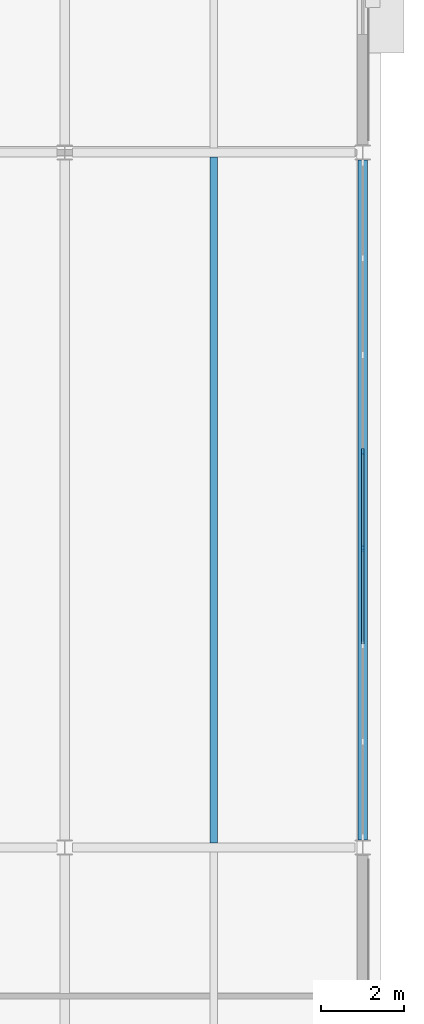
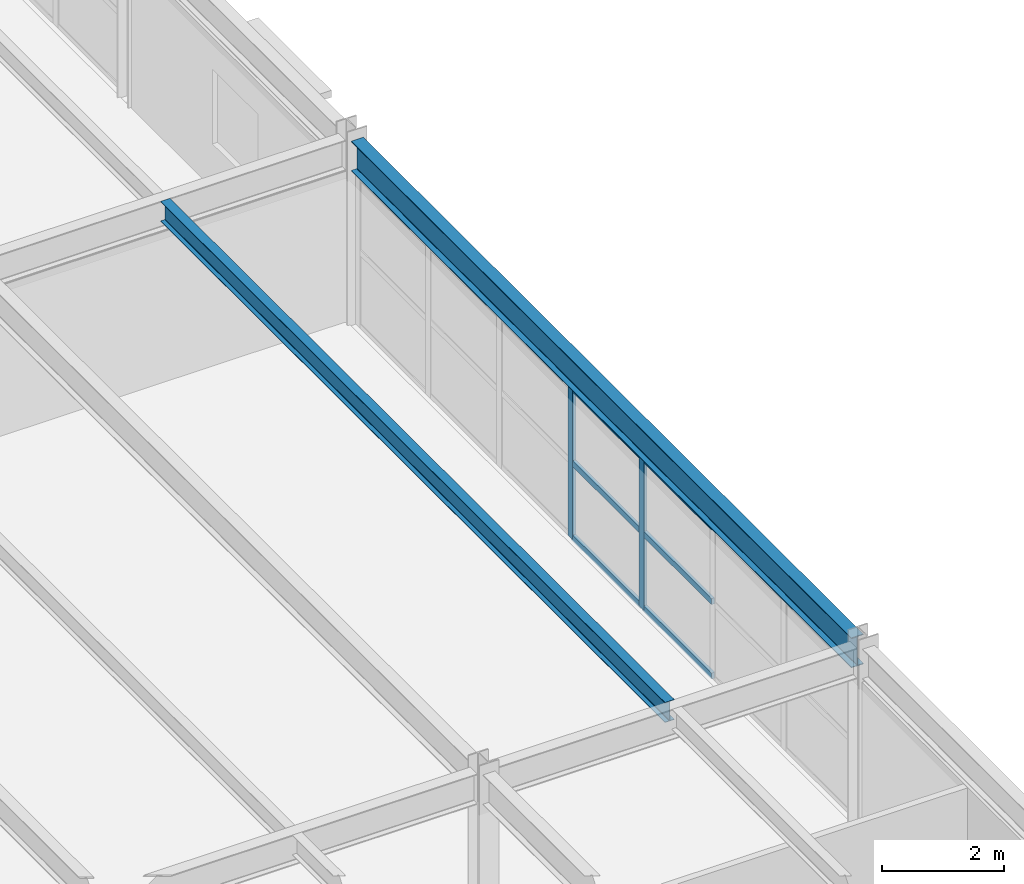
# One storey, part 40 of 93: 8 members, 2 beams, 1 element without a shape of its own.
"""IFC4 building model written with IfcOpenShell, lengths in metres."""

from ifc_helpers import new_model, si_unit, direction, frame, origin, origin_2d, place, context, subcontext, project, spatial, rectangle, i_section, extrude, material, material_profile, profile_set, type_object, element, aggregate, save


model = new_model("IFC4")

# Units and contexts
model_context = context("Model", 3, precision=1e-05, world=origin(), true_north=direction((0.0, 1.0)))
body_context = subcontext(model_context, "Body", "Model", "MODEL_VIEW")
ifc_project = project(units=[si_unit("LENGTHUNIT", "METRE"), si_unit("AREAUNIT", "SQUARE_METRE"), si_unit("VOLUMEUNIT", "CUBIC_METRE"), si_unit("PLANEANGLEUNIT", "RADIAN"), si_unit("MASSUNIT", "GRAM", prefix="KILO")], contexts=[model_context])

# Site, building, storey
site_placement = place(None, origin())
site = spatial("IfcSite", under=ifc_project, at=site_placement, CompositionType="ELEMENT")
building_placement = place(site_placement, origin())
building = spatial("IfcBuilding", under=site, at=building_placement, Name="Vaelcorin Mobility Hub", CompositionType="ELEMENT")
storey_placement = place(building_placement, frame((0.0, 0.0, 5.39990234375)))
storey = spatial("IfcBuildingStorey", under=building, at=storey_placement, Name="L01", CompositionType="ELEMENT", Elevation=5.39990234375)

# Beams
ifc_material_1 = material(Name="Steel ASTM A992 Grade 50", Category="steel")
ifc_material_profile_1 = material_profile(ifc_material_1, i_section(OverallWidth=0.177978515625, OverallDepth=0.404052734375, WebThickness=0.007568359375, FlangeThickness=0.010986328125, FilletRadius=0.012939453125, at=origin_2d()), Name="W16X36")
ifc_profile_set_1 = profile_set([ifc_material_profile_1], Name="Steel ASTM A992 Grade 50")
beam_type_1 = type_object("IfcBeamType", Name="BM-W16X36", PredefinedType="JOIST", material=ifc_profile_set_1)
beam_1_placement = place(storey_placement, frame((200.39990234375, 60.112060546875, 3.498046875), z_axis=(0.0, 1.0, 0.0), x_axis=(-1.0, 0.0, 0.0)))
element("IfcBeam", 1, at=beam_1_placement, inside=storey, type_object=beam_type_1, Name="L01 Beam V5E-L01-J-02-08-1", PredefinedType="JOIST", context=body_context, shape_type="SweptSolid", body=[
    extrude(i_section(OverallWidth=0.177978515625, OverallDepth=0.404052734375, WebThickness=0.007568359375, FlangeThickness=0.010986328125, FilletRadius=0.012939453125, at=origin_2d()), origin(), (0.0, 0.0, 1.0), 16.575927734375),
])
ifc_material_profile_2 = material_profile(ifc_material_1, i_section(OverallWidth=0.22802734375, OverallDepth=0.60205078125, WebThickness=0.010498046875, FlangeThickness=0.014892578125, FilletRadius=0.014892578125, at=origin_2d()), Name="W24X68")
ifc_profile_set_2 = profile_set([ifc_material_profile_2], Name="Steel ASTM A992 Grade 50")
beam_type_2 = type_object("IfcBeamType", Name="BM-W24X68", PredefinedType="SPANDREL", material=ifc_profile_set_2)
beam_2_placement = place(storey_placement, frame((204.0, 60.18408203125, 3.399169921875), z_axis=(0.0, 1.0, 0.0), x_axis=(-1.0, 0.0, 0.0)))
element("IfcBeam", 2, at=beam_2_placement, inside=storey, type_object=beam_type_2, Name="L01 Beam V5E-L01-GY-03-08", PredefinedType="SPANDREL", context=body_context, shape_type="SweptSolid", body=[
    extrude(i_section(OverallWidth=0.22802734375, OverallDepth=0.60205078125, WebThickness=0.010498046875, FlangeThickness=0.014892578125, FilletRadius=0.014892578125, at=origin_2d()), origin(), (0.0, 0.0, 1.0), 16.431884765625),
])

# Curtain wall, members
ifc_material_2 = material(Name="Anodised aluminium 6063-T6", Category="aluminium")
curtain_wall_type = type_object("IfcCurtainWallType", Name="CW-MOB-A", PredefinedType="NOTDEFINED", material=ifc_material_2)
curtain_wall_placement = place(storey_placement, origin())
curtain_wall = element("IfcCurtainWall", 3, at=curtain_wall_placement, inside=storey, type_object=curtain_wall_type, Name="L01 Curtain Wall CW-V5-L01-E-08", PredefinedType="NOTDEFINED")
ifc_material_profile_3 = material_profile(ifc_material_2, rectangle(XDim=0.06005859375, YDim=0.159912109375, at=origin_2d()), Name="ALU-M60X160")
ifc_profile_set_3 = profile_set([ifc_material_profile_3], Name="Anodised aluminium 6063-T6")
member_type_1 = type_object("IfcMemberType", Name="CW-MULL-160", PredefinedType="MULLION", material=ifc_profile_set_3)
member_1_placement = place(storey_placement, frame((204.0, 69.568603515625, 0.0), z_axis=(0.0, 0.0, 1.0), x_axis=(1.0, 0.0, 0.0)))
member_1 = element("IfcMember", 4, at=member_1_placement, type_object=member_type_1, Name="CW7 mullion 4", PredefinedType="MULLION", context=body_context, shape_type="SweptSolid", body=[
    extrude(rectangle(XDim=0.06005859375, YDim=0.159912109375, at=origin_2d()), origin(), (0.0, 0.0, 1.0), 3.043212890625),
])
member_2_placement = place(storey_placement, frame((204.0, 67.2314453125, 0.0), z_axis=(0.0, 0.0, 1.0), x_axis=(1.0, 0.0, 0.0)))
member_2 = element("IfcMember", 5, at=member_2_placement, type_object=member_type_1, Name="CW7 mullion 5", PredefinedType="MULLION", context=body_context, shape_type="SweptSolid", body=[
    extrude(rectangle(XDim=0.06005859375, YDim=0.159912109375, at=origin_2d()), origin(), (0.0, 0.0, 1.0), 3.043212890625),
])
ifc_material_profile_4 = material_profile(ifc_material_2, rectangle(XDim=0.06005859375, YDim=0.1201171875, at=origin_2d()), Name="ALU-T60X120")
ifc_profile_set_4 = profile_set([ifc_material_profile_4], Name="Anodised aluminium 6063-T6")
member_type_2 = type_object("IfcMemberType", Name="CW-TRAN-140", PredefinedType="USERDEFINED", material=ifc_profile_set_4)
member_3_placement = place(storey_placement, frame((204.0, 69.53857421875, 0.030029296875), z_axis=(0.0, -1.0, 0.0), x_axis=(1.0, 0.0, 0.0)))
member_3 = element("IfcMember", 6, at=member_3_placement, type_object=member_type_2, Name="CW7 transom 4.1", ObjectType="TRANSOM", PredefinedType="USERDEFINED", context=body_context, shape_type="SweptSolid", body=[
    extrude(rectangle(XDim=0.06005859375, YDim=0.1201171875, at=origin_2d()), origin(), (0.0, 0.0, 1.0), 2.277099609375),
])
member_4_placement = place(storey_placement, frame((204.0, 69.53857421875, 1.522216796875), z_axis=(0.0, -1.0, 0.0), x_axis=(1.0, 0.0, 0.0)))
member_4 = element("IfcMember", 7, at=member_4_placement, type_object=member_type_2, Name="CW7 transom 4.2", ObjectType="TRANSOM", PredefinedType="USERDEFINED", context=body_context, shape_type="SweptSolid", body=[
    extrude(rectangle(XDim=0.06005859375, YDim=0.1201171875, at=origin_2d()), origin(), (0.0, 0.0, 1.0), 2.277099609375),
])
member_5_placement = place(storey_placement, frame((204.0, 69.53857421875, 3.01318359375), z_axis=(0.0, -1.0, 0.0), x_axis=(1.0, 0.0, 0.0)))
member_5 = element("IfcMember", 8, at=member_5_placement, type_object=member_type_2, Name="CW7 transom 4.3", ObjectType="TRANSOM", PredefinedType="USERDEFINED", context=body_context, shape_type="SweptSolid", body=[
    extrude(rectangle(XDim=0.06005859375, YDim=0.1201171875, at=origin_2d()), origin(), (0.0, 0.0, 1.0), 2.277099609375),
])
member_6_placement = place(storey_placement, frame((204.0, 67.201416015625, 0.030029296875), z_axis=(0.0, -1.0, 0.0), x_axis=(1.0, 0.0, 0.0)))
member_6 = element("IfcMember", 9, at=member_6_placement, type_object=member_type_2, Name="CW7 transom 5.1", ObjectType="TRANSOM", PredefinedType="USERDEFINED", context=body_context, shape_type="SweptSolid", body=[
    extrude(rectangle(XDim=0.06005859375, YDim=0.1201171875, at=origin_2d()), origin(), (0.0, 0.0, 1.0), 2.277099609375),
])
member_7_placement = place(storey_placement, frame((204.0, 67.201416015625, 1.522216796875), z_axis=(0.0, -1.0, 0.0), x_axis=(1.0, 0.0, 0.0)))
member_7 = element("IfcMember", 10, at=member_7_placement, type_object=member_type_2, Name="CW7 transom 5.2", ObjectType="TRANSOM", PredefinedType="USERDEFINED", context=body_context, shape_type="SweptSolid", body=[
    extrude(rectangle(XDim=0.06005859375, YDim=0.1201171875, at=origin_2d()), origin(), (0.0, 0.0, 1.0), 2.277099609375),
])
member_8_placement = place(storey_placement, frame((204.0, 67.201416015625, 3.01318359375), z_axis=(0.0, -1.0, 0.0), x_axis=(1.0, 0.0, 0.0)))
member_8 = element("IfcMember", 11, at=member_8_placement, type_object=member_type_2, Name="CW7 transom 5.3", ObjectType="TRANSOM", PredefinedType="USERDEFINED", context=body_context, shape_type="SweptSolid", body=[
    extrude(rectangle(XDim=0.06005859375, YDim=0.1201171875, at=origin_2d()), origin(), (0.0, 0.0, 1.0), 2.277099609375),
])
aggregate(curtain_wall, [member_1, member_2, member_3, member_4, member_5, member_6, member_7, member_8])

save(model, "model.ifc")
